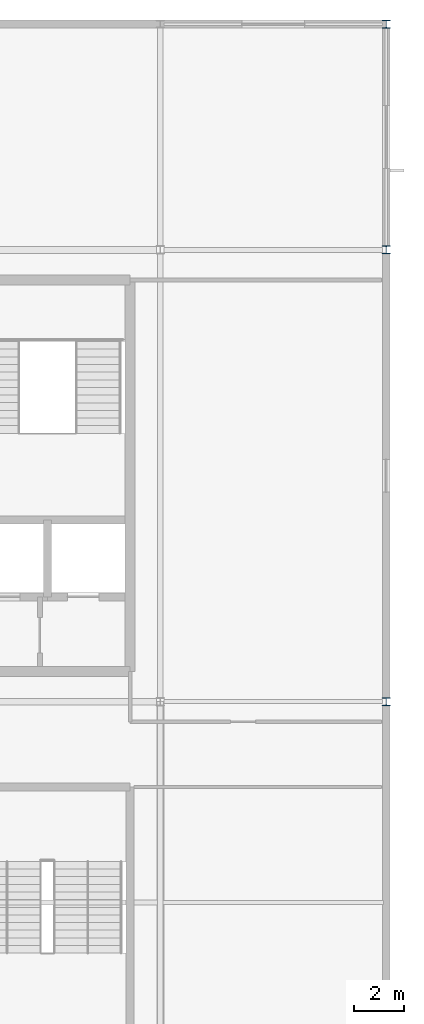
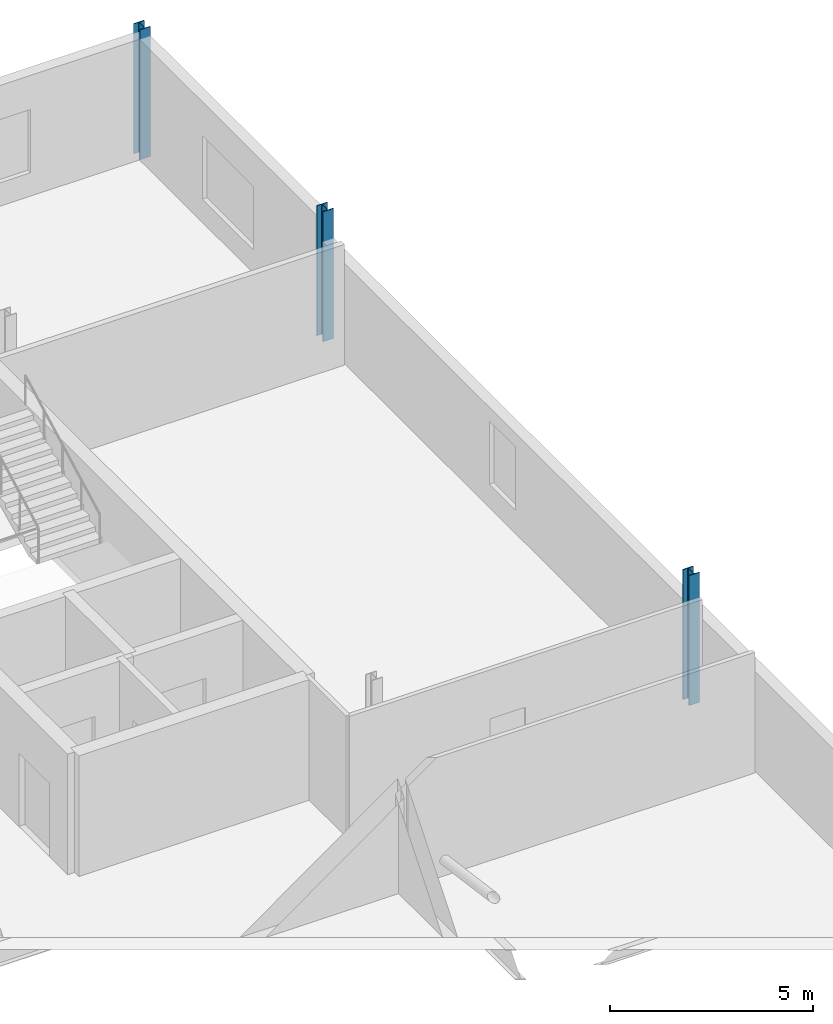
# One storey, part 11 of 31: 3 columns.
"""IFC4 building model written with IfcOpenShell, lengths in metres."""

from ifc_helpers import new_model, si_unit, direction, frame, origin, origin_2d, place, context, subcontext, project, spatial, i_section, extrude, material, material_profile, profile_set, type_object, element, save


model = new_model("IFC4")

# Units and contexts
model_context = context("Model", 3, precision=1e-05, world=origin(), true_north=direction((0.0, 1.0)))
body_context = subcontext(model_context, "Body", "Model", "MODEL_VIEW")
ifc_project = project(units=[si_unit("LENGTHUNIT", "METRE"), si_unit("AREAUNIT", "SQUARE_METRE"), si_unit("VOLUMEUNIT", "CUBIC_METRE"), si_unit("PLANEANGLEUNIT", "RADIAN"), si_unit("MASSUNIT", "GRAM", prefix="KILO")], contexts=[model_context])

# Site, building, storey
site_placement = place(None, origin())
site = spatial("IfcSite", under=ifc_project, at=site_placement, CompositionType="ELEMENT")
building_placement = place(site_placement, origin())
building = spatial("IfcBuilding", under=site, at=building_placement, Name="Kisiwana Market Hall", CompositionType="ELEMENT")
storey_placement = place(building_placement, frame((0.0, 0.0, 45.60009765625)))
storey = spatial("IfcBuildingStorey", under=building, at=storey_placement, Name="L10", CompositionType="ELEMENT", Elevation=45.60009765625)

# Columns
ifc_material = material(Name="Steel S355", Category="steel")
ifc_material_profile = material_profile(ifc_material, i_section(OverallWidth=0.300048828125, OverallDepth=0.320068359375, WebThickness=0.011474609375, FlangeThickness=0.0205078125, FilletRadius=0.027099609375, at=origin_2d()), Name="HEB 320")
ifc_profile_set = profile_set([ifc_material_profile], Name="Steel S355")
column_type = type_object("IfcColumnType", Name="COL-STL-HEB320", PredefinedType="COLUMN", material=ifc_profile_set)
for number, where, z_axis, x_axis, name in (
    (1, (198.0, 84.0, 0.0), (0.0, 0.0, 1.0), (1.0, 0.0, 0.0), "Column L/23 (L10) C-1315"),
    (2, (198.0, 102.0, 0.0), (0.0, 0.0, 1.0), (1.0, 0.0, 0.0), "Column N/23 (L10) C-1316"),
    (3, (198.0, 111.0, 0.0), (0.0, 0.0, 1.0), (1.0, 0.0, 0.0), "Column P/23 (L10) C-1317"),
):
    element("IfcColumn", number, at=place(storey_placement, frame(where, z_axis=z_axis, x_axis=x_axis)), inside=storey, type_object=column_type, Name=name, PredefinedType="COLUMN", context=body_context, shape_type="SweptSolid", body=[
        extrude(i_section(OverallWidth=0.300048828125, OverallDepth=0.320068359375, WebThickness=0.011474609375, FlangeThickness=0.0205078125, FilletRadius=0.027099609375, at=origin_2d()), origin(), (0.0, 0.0, 1.0), 3.89990234375),
    ])

save(model, "model.ifc")
